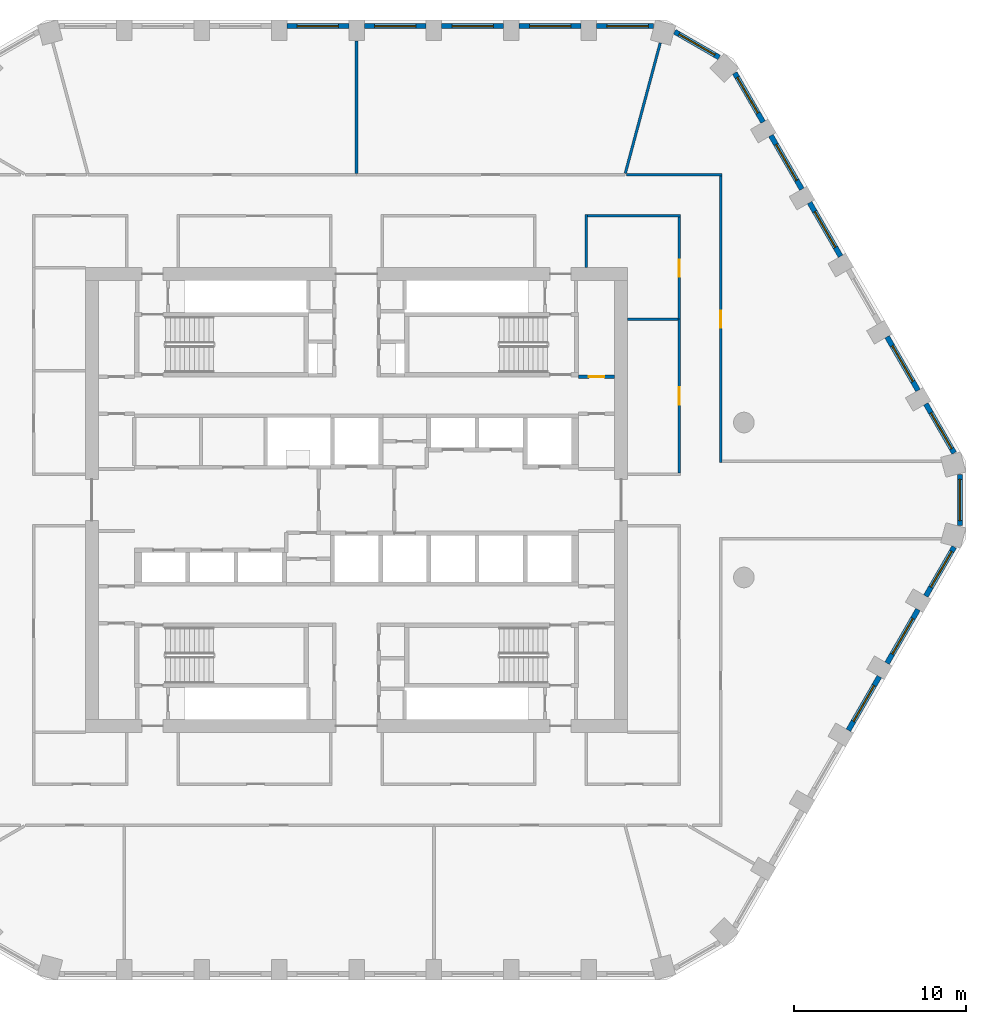
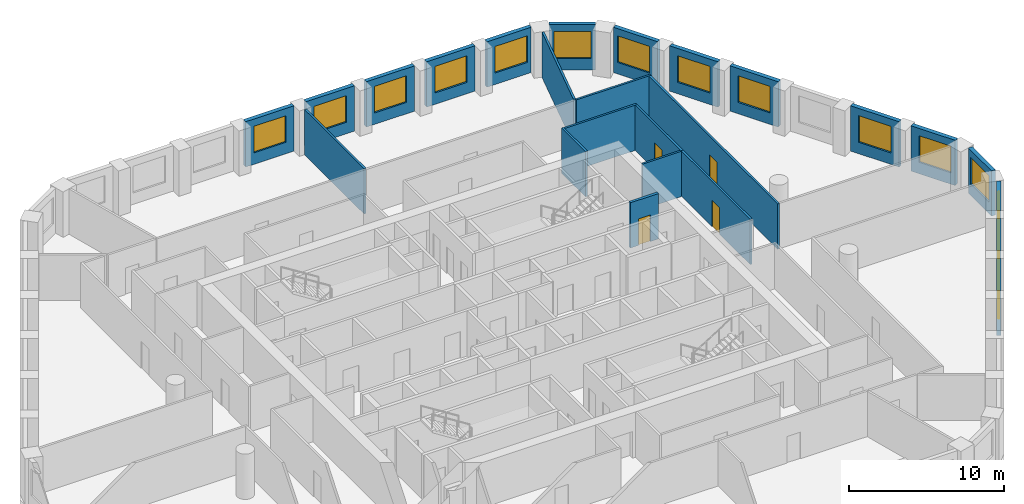
# One storey, part 8 of 10: 25 walls, 15 windows, 4 doors, 19 openings.
"""IFC4 building model written with IfcOpenShell, lengths in metres."""

from ifc_helpers import new_model, si_unit, direction, frame, frame_2d, origin, place, context, subcontext, project, spatial, rectangle, extrude, material, layer, layer_set, type_object, element, fill, save


model = new_model("IFC4")

# Units and contexts
model_context = context("Model", 3, precision=1e-05, world=origin(), true_north=direction((0.0, 1.0)))
body_context = subcontext(model_context, "Body", "Model", "MODEL_VIEW")
ifc_project = project(units=[si_unit("LENGTHUNIT", "METRE"), si_unit("AREAUNIT", "SQUARE_METRE"), si_unit("VOLUMEUNIT", "CUBIC_METRE"), si_unit("PLANEANGLEUNIT", "RADIAN"), si_unit("MASSUNIT", "GRAM", prefix="KILO")], contexts=[model_context])

# Site, building, storey
site_placement = place(None, origin())
site = spatial("IfcSite", under=ifc_project, at=site_placement, CompositionType="ELEMENT")
building_placement = place(site_placement, origin())
building = spatial("IfcBuilding", under=site, at=building_placement, Name="Dhurran Vertical Campus", CompositionType="ELEMENT")
storey_placement = place(building_placement, frame((0.0, 0.0, 148.199951171875)))
storey = spatial("IfcBuildingStorey", under=building, at=storey_placement, Name="L36", CompositionType="ELEMENT", Elevation=148.199951171875)

# Wall, opening, window
ifc_material_1 = material(Name="Precast concrete C50/60", Category="concrete")
ifc_layer_1 = layer(ifc_material_1, 0.300048828125)
ifc_layer_set_1 = layer_set([ifc_layer_1], Name="Precast concrete C50/60")
wall_type_1 = type_object("IfcWallType", Name="Precast spandrel wall 300", PredefinedType="SOLIDWALL", material=ifc_layer_set_1)
wall_1_placement = place(storey_placement, frame((28.5693359375, -13.376220703125, 0.0), z_axis=(0.0, 0.0, 1.0), x_axis=(0.500027802648, 0.866009351323, 0.0)))
wall_1 = element("IfcWall", 1, at=wall_1_placement, inside=storey, type_object=wall_type_1, Name="EW1 L36.12", PredefinedType="SOLIDWALL", context=body_context, shape_type="SweptSolid", body=[
    extrude(rectangle(XDim=3.598876953125, YDim=0.300048828125, at=frame_2d((1.79931640625, 0.0))), origin(), (0.0, 0.0, 1.0), 3.574951171875),
])
opening_1_placement = place(wall_1_placement, frame((0.599609375, 0.0, 0.89990234375)))
opening_1 = element("IfcOpeningElement", 2, at=opening_1_placement, cuts=wall_1, Name="Opening WT1", PredefinedType="OPENING", context=body_context, shape_type="SweptSolid", body=[
    extrude(rectangle(XDim=2.39990234375, YDim=2.10009765625, at=frame_2d((1.199951171875, 1.050048828125))), frame((0.0, 0.159912109375, 0.0), z_axis=(0.0, -1.0, 0.0), x_axis=(1.0, 0.0, 0.0)), (0.0, 0.0, 1.0), 0.320068359375),
])
ifc_material_2 = material(Name="Aluminium frame with solar-control glass", Category="aluminium")
window_type = type_object("IfcWindowType", Name="Punched window 2400 x 2100", PartitioningType="SINGLE_PANEL", PredefinedType="WINDOW", material=ifc_material_2)
window_1_placement = place(opening_1_placement, origin())
window_1 = element("IfcWindow", 3, at=window_1_placement, inside=storey, type_object=window_type, Name="WT1 L36.12", OverallHeight=2.10009765625, OverallWidth=2.39990234375, PartitioningType="SINGLE_PANEL", PredefinedType="WINDOW", context=body_context, shape_type="SweptSolid", body=[
    extrude(rectangle(XDim=2.39990234375, YDim=2.10009765625, at=frame_2d((1.199951171875, 1.050048828125))), frame((0.0, 0.030029296875, 0.0), z_axis=(0.0, -1.0, 0.0), x_axis=(1.0, 0.0, 0.0)), (0.0, 0.0, 1.0), 0.06005859375),
])
fill(opening_1, window_1)

wall_2_placement = place(storey_placement, frame((30.8193359375, -9.47900390625, 0.0), z_axis=(0.0, 0.0, 1.0), x_axis=(0.500027802648, 0.866009351323, 0.0)))
wall_2 = element("IfcWall", 4, at=wall_2_placement, inside=storey, type_object=wall_type_1, Name="EW1 L36.13", PredefinedType="SOLIDWALL", context=body_context, shape_type="SweptSolid", body=[
    extrude(rectangle(XDim=3.598876953125, YDim=0.300048828125, at=frame_2d((1.79931640625, 0.0))), origin(), (0.0, 0.0, 1.0), 3.574951171875),
])
opening_2_placement = place(wall_2_placement, frame((0.599609375, 0.0, 0.89990234375)))
opening_2 = element("IfcOpeningElement", 5, at=opening_2_placement, cuts=wall_2, Name="Opening WT1", PredefinedType="OPENING", context=body_context, shape_type="SweptSolid", body=[
    extrude(rectangle(XDim=2.39990234375, YDim=2.10009765625, at=frame_2d((1.199951171875, 1.050048828125))), frame((0.0, 0.159912109375, 0.0), z_axis=(0.0, -1.0, 0.0), x_axis=(1.0, 0.0, 0.0)), (0.0, 0.0, 1.0), 0.320068359375),
])
window_2_placement = place(opening_2_placement, origin())
window_2 = element("IfcWindow", 6, at=window_2_placement, inside=storey, type_object=window_type, Name="WT1 L36.13", OverallHeight=2.10009765625, OverallWidth=2.39990234375, PartitioningType="SINGLE_PANEL", PredefinedType="WINDOW", context=body_context, shape_type="SweptSolid", body=[
    extrude(rectangle(XDim=2.39990234375, YDim=2.10009765625, at=frame_2d((1.199951171875, 1.050048828125))), frame((0.0, 0.030029296875, 0.0), z_axis=(0.0, -1.0, 0.0), x_axis=(1.0, 0.0, 0.0)), (0.0, 0.0, 1.0), 0.06005859375),
])
fill(opening_2, window_2)

wall_3_placement = place(storey_placement, frame((33.0693359375, -5.58203125, 0.0), z_axis=(0.0, 0.0, 1.0), x_axis=(0.499981217486, 0.866036247602, 0.0)))
wall_3 = element("IfcWall", 7, at=wall_3_placement, inside=storey, type_object=wall_type_1, Name="EW1 L36.14", PredefinedType="SOLIDWALL", context=body_context, shape_type="SweptSolid", body=[
    extrude(rectangle(XDim=3.294189453125, YDim=0.300048828125, at=frame_2d((1.64697265625, 0.0))), origin(), (0.0, 0.0, 1.0), 3.574951171875),
])
opening_3_placement = place(wall_3_placement, frame((0.599609375, 0.0, 0.89990234375)))
opening_3 = element("IfcOpeningElement", 8, at=opening_3_placement, cuts=wall_3, Name="Opening WT1", PredefinedType="OPENING", context=body_context, shape_type="SweptSolid", body=[
    extrude(rectangle(XDim=2.39990234375, YDim=2.10009765625, at=frame_2d((1.199951171875, 1.050048828125))), frame((0.0, 0.159912109375, 0.0), z_axis=(0.0, -1.0, 0.0), x_axis=(1.0, 0.0, 0.0)), (0.0, 0.0, 1.0), 0.320068359375),
])
window_3_placement = place(opening_3_placement, origin())
window_3 = element("IfcWindow", 9, at=window_3_placement, inside=storey, type_object=window_type, Name="WT1 L36.14", OverallHeight=2.10009765625, OverallWidth=2.39990234375, PartitioningType="SINGLE_PANEL", PredefinedType="WINDOW", context=body_context, shape_type="SweptSolid", body=[
    extrude(rectangle(XDim=2.39990234375, YDim=2.10009765625, at=frame_2d((1.199951171875, 1.050048828125))), frame((0.0, 0.030029296875, 0.0), z_axis=(0.0, -1.0, 0.0), x_axis=(1.0, 0.0, 0.0)), (0.0, 0.0, 1.0), 0.06005859375),
])
fill(opening_3, window_3)

wall_4_placement = place(storey_placement, frame((35.047119140625, -1.49462890625, 0.0), z_axis=(0.0, 0.0, 1.0), x_axis=(0.0, 1.0, 0.0)))
wall_4 = element("IfcWall", 10, at=wall_4_placement, inside=storey, type_object=wall_type_1, Name="EW1 L36.15", PredefinedType="SOLIDWALL", context=body_context, shape_type="SweptSolid", body=[
    extrude(rectangle(XDim=2.9892578125, YDim=0.300048828125, at=frame_2d((1.49462890625, 0.0))), origin(), (0.0, 0.0, 1.0), 3.574951171875),
])
opening_4_placement = place(wall_4_placement, frame((0.294677734375, 0.0, 0.89990234375)))
opening_4 = element("IfcOpeningElement", 11, at=opening_4_placement, cuts=wall_4, Name="Opening WT1", PredefinedType="OPENING", context=body_context, shape_type="SweptSolid", body=[
    extrude(rectangle(XDim=2.39990234375, YDim=2.10009765625, at=frame_2d((1.199951171875, 1.050048828125))), frame((0.0, 0.159912109375, 0.0), z_axis=(0.0, -1.0, 0.0), x_axis=(1.0, 0.0, 0.0)), (0.0, 0.0, 1.0), 0.320068359375),
])
window_4_placement = place(opening_4_placement, origin())
window_4 = element("IfcWindow", 12, at=window_4_placement, inside=storey, type_object=window_type, Name="WT1 L36.15", OverallHeight=2.10009765625, OverallWidth=2.39990234375, PartitioningType="SINGLE_PANEL", PredefinedType="WINDOW", context=body_context, shape_type="SweptSolid", body=[
    extrude(rectangle(XDim=2.39990234375, YDim=2.10009765625, at=frame_2d((1.199951171875, 1.050048828125))), frame((0.0, 0.030029296875, 0.0), z_axis=(0.0, -1.0, 0.0), x_axis=(1.0, 0.0, 0.0)), (0.0, 0.0, 1.0), 0.06005859375),
])
fill(opening_4, window_4)

wall_5_placement = place(storey_placement, frame((34.71630859375, 2.729248046875, 0.0), z_axis=(0.0, 0.0, 1.0), x_axis=(-0.499981217486, 0.866036247602, 0.0)))
wall_5 = element("IfcWall", 13, at=wall_5_placement, inside=storey, type_object=wall_type_1, Name="EW1 L36.16", PredefinedType="SOLIDWALL", context=body_context, shape_type="SweptSolid", body=[
    extrude(rectangle(XDim=3.294189453125, YDim=0.300048828125, at=frame_2d((1.64697265625, 0.0))), origin(), (0.0, 0.0, 1.0), 3.574951171875),
])
opening_5_placement = place(wall_5_placement, frame((0.294677734375, 0.0, 0.89990234375)))
opening_5 = element("IfcOpeningElement", 14, at=opening_5_placement, cuts=wall_5, Name="Opening WT1", PredefinedType="OPENING", context=body_context, shape_type="SweptSolid", body=[
    extrude(rectangle(XDim=2.39990234375, YDim=2.10009765625, at=frame_2d((1.199951171875, 1.050048828125))), frame((0.0, 0.159912109375, 0.0), z_axis=(0.0, -1.0, 0.0), x_axis=(1.0, 0.0, 0.0)), (0.0, 0.0, 1.0), 0.320068359375),
])
window_5_placement = place(opening_5_placement, origin())
window_5 = element("IfcWindow", 15, at=window_5_placement, inside=storey, type_object=window_type, Name="WT1 L36.16", OverallHeight=2.10009765625, OverallWidth=2.39990234375, PartitioningType="SINGLE_PANEL", PredefinedType="WINDOW", context=body_context, shape_type="SweptSolid", body=[
    extrude(rectangle(XDim=2.39990234375, YDim=2.10009765625, at=frame_2d((1.199951171875, 1.050048828125))), frame((0.0, 0.030029296875, 0.0), z_axis=(0.0, -1.0, 0.0), x_axis=(1.0, 0.0, 0.0)), (0.0, 0.0, 1.0), 0.06005859375),
])
fill(opening_5, window_5)

wall_6_placement = place(storey_placement, frame((32.618896484375, 6.3623046875, 0.0), z_axis=(0.0, 0.0, 1.0), x_axis=(-0.500027802648, 0.866009351323, 0.0)))
wall_6 = element("IfcWall", 16, at=wall_6_placement, inside=storey, type_object=wall_type_1, Name="EW1 L36.17", PredefinedType="SOLIDWALL", context=body_context, shape_type="SweptSolid", body=[
    extrude(rectangle(XDim=3.598876953125, YDim=0.300048828125, at=frame_2d((1.79931640625, 0.0))), origin(), (0.0, 0.0, 1.0), 3.574951171875),
])
opening_6_placement = place(wall_6_placement, frame((0.599609375, 0.0, 0.89990234375)))
opening_6 = element("IfcOpeningElement", 17, at=opening_6_placement, cuts=wall_6, Name="Opening WT1", PredefinedType="OPENING", context=body_context, shape_type="SweptSolid", body=[
    extrude(rectangle(XDim=2.39990234375, YDim=2.10009765625, at=frame_2d((1.199951171875, 1.050048828125))), frame((0.0, 0.159912109375, 0.0), z_axis=(0.0, -1.0, 0.0), x_axis=(1.0, 0.0, 0.0)), (0.0, 0.0, 1.0), 0.320068359375),
])
window_6_placement = place(opening_6_placement, origin())
window_6 = element("IfcWindow", 18, at=window_6_placement, inside=storey, type_object=window_type, Name="WT1 L36.17", OverallHeight=2.10009765625, OverallWidth=2.39990234375, PartitioningType="SINGLE_PANEL", PredefinedType="WINDOW", context=body_context, shape_type="SweptSolid", body=[
    extrude(rectangle(XDim=2.39990234375, YDim=2.10009765625, at=frame_2d((1.199951171875, 1.050048828125))), frame((0.0, 0.030029296875, 0.0), z_axis=(0.0, -1.0, 0.0), x_axis=(1.0, 0.0, 0.0)), (0.0, 0.0, 1.0), 0.06005859375),
])
fill(opening_6, window_6)

wall_7_placement = place(storey_placement, frame((28.118896484375, 14.156494140625, 0.0), z_axis=(0.0, 0.0, 1.0), x_axis=(-0.500027802648, 0.866009351323, 0.0)))
wall_7 = element("IfcWall", 19, at=wall_7_placement, inside=storey, type_object=wall_type_1, Name="EW1 L36.19", PredefinedType="SOLIDWALL", context=body_context, shape_type="SweptSolid", body=[
    extrude(rectangle(XDim=3.598876953125, YDim=0.300048828125, at=frame_2d((1.79931640625, 0.0))), origin(), (0.0, 0.0, 1.0), 3.574951171875),
])
opening_7_placement = place(wall_7_placement, frame((0.599609375, 0.0, 0.89990234375)))
opening_7 = element("IfcOpeningElement", 20, at=opening_7_placement, cuts=wall_7, Name="Opening WT1", PredefinedType="OPENING", context=body_context, shape_type="SweptSolid", body=[
    extrude(rectangle(XDim=2.39990234375, YDim=2.10009765625, at=frame_2d((1.199951171875, 1.050048828125))), frame((0.0, 0.159912109375, 0.0), z_axis=(0.0, -1.0, 0.0), x_axis=(1.0, 0.0, 0.0)), (0.0, 0.0, 1.0), 0.320068359375),
])
window_7_placement = place(opening_7_placement, origin())
window_7 = element("IfcWindow", 21, at=window_7_placement, inside=storey, type_object=window_type, Name="WT1 L36.19", OverallHeight=2.10009765625, OverallWidth=2.39990234375, PartitioningType="SINGLE_PANEL", PredefinedType="WINDOW", context=body_context, shape_type="SweptSolid", body=[
    extrude(rectangle(XDim=2.39990234375, YDim=2.10009765625, at=frame_2d((1.199951171875, 1.050048828125))), frame((0.0, 0.030029296875, 0.0), z_axis=(0.0, -1.0, 0.0), x_axis=(1.0, 0.0, 0.0)), (0.0, 0.0, 1.0), 0.06005859375),
])
fill(opening_7, window_7)

wall_8_placement = place(storey_placement, frame((25.868896484375, 18.0537109375, 0.0), z_axis=(0.0, 0.0, 1.0), x_axis=(-0.500027802648, 0.866009351323, 0.0)))
wall_8 = element("IfcWall", 22, at=wall_8_placement, inside=storey, type_object=wall_type_1, Name="EW1 L36.20", PredefinedType="SOLIDWALL", context=body_context, shape_type="SweptSolid", body=[
    extrude(rectangle(XDim=3.598876953125, YDim=0.300048828125, at=frame_2d((1.79931640625, 0.0))), origin(), (0.0, 0.0, 1.0), 3.574951171875),
])
opening_8_placement = place(wall_8_placement, frame((0.599609375, 0.0, 0.89990234375)))
opening_8 = element("IfcOpeningElement", 23, at=opening_8_placement, cuts=wall_8, Name="Opening WT1", PredefinedType="OPENING", context=body_context, shape_type="SweptSolid", body=[
    extrude(rectangle(XDim=2.39990234375, YDim=2.10009765625, at=frame_2d((1.199951171875, 1.050048828125))), frame((0.0, 0.159912109375, 0.0), z_axis=(0.0, -1.0, 0.0), x_axis=(1.0, 0.0, 0.0)), (0.0, 0.0, 1.0), 0.320068359375),
])
window_8_placement = place(opening_8_placement, origin())
window_8 = element("IfcWindow", 24, at=window_8_placement, inside=storey, type_object=window_type, Name="WT1 L36.20", OverallHeight=2.10009765625, OverallWidth=2.39990234375, PartitioningType="SINGLE_PANEL", PredefinedType="WINDOW", context=body_context, shape_type="SweptSolid", body=[
    extrude(rectangle(XDim=2.39990234375, YDim=2.10009765625, at=frame_2d((1.199951171875, 1.050048828125))), frame((0.0, 0.030029296875, 0.0), z_axis=(0.0, -1.0, 0.0), x_axis=(1.0, 0.0, 0.0)), (0.0, 0.0, 1.0), 0.06005859375),
])
fill(opening_8, window_8)

wall_9_placement = place(storey_placement, frame((23.618896484375, 21.95068359375, 0.0), z_axis=(0.0, 0.0, 1.0), x_axis=(-0.500036802197, 0.866004154983, 0.0)))
wall_9 = element("IfcWall", 25, at=wall_9_placement, inside=storey, type_object=wall_type_1, Name="EW1 L36.21", PredefinedType="SOLIDWALL", context=body_context, shape_type="SweptSolid", body=[
    extrude(rectangle(XDim=3.294189453125, YDim=0.300048828125, at=frame_2d((1.64697265625, 0.0))), origin(), (0.0, 0.0, 1.0), 3.574951171875),
])
opening_9_placement = place(wall_9_placement, frame((0.599609375, 0.0, 0.89990234375)))
opening_9 = element("IfcOpeningElement", 26, at=opening_9_placement, cuts=wall_9, Name="Opening WT1", PredefinedType="OPENING", context=body_context, shape_type="SweptSolid", body=[
    extrude(rectangle(XDim=2.39990234375, YDim=2.10009765625, at=frame_2d((1.199951171875, 1.050048828125))), frame((0.0, 0.159912109375, 0.0), z_axis=(0.0, -1.0, 0.0), x_axis=(1.0, 0.0, 0.0)), (0.0, 0.0, 1.0), 0.320068359375),
])
window_9_placement = place(opening_9_placement, origin())
window_9 = element("IfcWindow", 27, at=window_9_placement, inside=storey, type_object=window_type, Name="WT1 L36.21", OverallHeight=2.10009765625, OverallWidth=2.39990234375, PartitioningType="SINGLE_PANEL", PredefinedType="WINDOW", context=body_context, shape_type="SweptSolid", body=[
    extrude(rectangle(XDim=2.39990234375, YDim=2.10009765625, at=frame_2d((1.199951171875, 1.050048828125))), frame((0.0, 0.030029296875, 0.0), z_axis=(0.0, -1.0, 0.0), x_axis=(1.0, 0.0, 0.0)), (0.0, 0.0, 1.0), 0.06005859375),
])
fill(opening_9, window_9)

wall_10_placement = place(storey_placement, frame((21.06787109375, 25.707275390625, 0.0), z_axis=(0.0, 0.0, 1.0), x_axis=(-0.866012844897, 0.500021752, 0.0)))
wall_10 = element("IfcWall", 28, at=wall_10_placement, inside=storey, type_object=wall_type_1, Name="EW1 L36.22", PredefinedType="SOLIDWALL", context=body_context, shape_type="SweptSolid", body=[
    extrude(rectangle(XDim=2.989013671875, YDim=0.300048828125, at=frame_2d((1.49462890625, 0.0))), origin(), (0.0, 0.0, 1.0), 3.574951171875),
])
opening_10_placement = place(wall_10_placement, frame((0.294677734375, 0.0, 0.89990234375)))
opening_10 = element("IfcOpeningElement", 29, at=opening_10_placement, cuts=wall_10, Name="Opening WT1", PredefinedType="OPENING", context=body_context, shape_type="SweptSolid", body=[
    extrude(rectangle(XDim=2.39990234375, YDim=2.10009765625, at=frame_2d((1.199951171875, 1.050048828125))), frame((0.0, 0.159912109375, 0.0), z_axis=(0.0, -1.0, 0.0), x_axis=(1.0, 0.0, 0.0)), (0.0, 0.0, 1.0), 0.320068359375),
])
window_10_placement = place(opening_10_placement, origin())
window_10 = element("IfcWindow", 30, at=window_10_placement, inside=storey, type_object=window_type, Name="WT1 L36.22", OverallHeight=2.10009765625, OverallWidth=2.39990234375, PartitioningType="SINGLE_PANEL", PredefinedType="WINDOW", context=body_context, shape_type="SweptSolid", body=[
    extrude(rectangle(XDim=2.39990234375, YDim=2.10009765625, at=frame_2d((1.199951171875, 1.050048828125))), frame((0.0, 0.030029296875, 0.0), z_axis=(0.0, -1.0, 0.0), x_axis=(1.0, 0.0, 0.0)), (0.0, 0.0, 1.0), 0.06005859375),
])
fill(opening_10, window_10)

wall_11_placement = place(storey_placement, frame((17.24462890625, 27.53271484375, 0.0), z_axis=(0.0, 0.0, 1.0), x_axis=(-1.0, 0.0, 0.0)))
wall_11 = element("IfcWall", 31, at=wall_11_placement, inside=storey, type_object=wall_type_1, Name="EW1 L36.23", PredefinedType="SOLIDWALL", context=body_context, shape_type="SweptSolid", body=[
    extrude(rectangle(XDim=3.294189453125, YDim=0.300048828125, at=frame_2d((1.64697265625, 0.0))), origin(), (0.0, 0.0, 1.0), 3.574951171875),
])
opening_11_placement = place(wall_11_placement, frame((0.294677734375, 0.0, 0.89990234375)))
opening_11 = element("IfcOpeningElement", 32, at=opening_11_placement, cuts=wall_11, Name="Opening WT1", PredefinedType="OPENING", context=body_context, shape_type="SweptSolid", body=[
    extrude(rectangle(XDim=2.39990234375, YDim=2.10009765625, at=frame_2d((1.199951171875, 1.050048828125))), frame((0.0, 0.159912109375, 0.0), z_axis=(0.0, -1.0, 0.0), x_axis=(1.0, 0.0, 0.0)), (0.0, 0.0, 1.0), 0.320068359375),
])
window_11_placement = place(opening_11_placement, origin())
window_11 = element("IfcWindow", 33, at=window_11_placement, inside=storey, type_object=window_type, Name="WT1 L36.23", OverallHeight=2.10009765625, OverallWidth=2.39990234375, PartitioningType="SINGLE_PANEL", PredefinedType="WINDOW", context=body_context, shape_type="SweptSolid", body=[
    extrude(rectangle(XDim=2.39990234375, YDim=2.10009765625, at=frame_2d((1.199951171875, 1.050048828125))), frame((0.0, 0.030029296875, 0.0), z_axis=(0.0, -1.0, 0.0), x_axis=(1.0, 0.0, 0.0)), (0.0, 0.0, 1.0), 0.06005859375),
])
fill(opening_11, window_11)

wall_12_placement = place(storey_placement, frame((13.049560546875, 27.53271484375, 0.0), z_axis=(0.0, 0.0, 1.0), x_axis=(-1.0, 0.0, 0.0)))
wall_12 = element("IfcWall", 34, at=wall_12_placement, inside=storey, type_object=wall_type_1, Name="EW1 L36.24", PredefinedType="SOLIDWALL", context=body_context, shape_type="SweptSolid", body=[
    extrude(rectangle(XDim=3.59912109375, YDim=0.300048828125, at=frame_2d((1.799560546875, 0.0))), origin(), (0.0, 0.0, 1.0), 3.574951171875),
])
opening_12_placement = place(wall_12_placement, frame((0.599609375, 0.0, 0.89990234375)))
opening_12 = element("IfcOpeningElement", 35, at=opening_12_placement, cuts=wall_12, Name="Opening WT1", PredefinedType="OPENING", context=body_context, shape_type="SweptSolid", body=[
    extrude(rectangle(XDim=2.39990234375, YDim=2.10009765625, at=frame_2d((1.199951171875, 1.050048828125))), frame((0.0, 0.159912109375, 0.0), z_axis=(0.0, -1.0, 0.0), x_axis=(1.0, 0.0, 0.0)), (0.0, 0.0, 1.0), 0.320068359375),
])
window_12_placement = place(opening_12_placement, origin())
window_12 = element("IfcWindow", 36, at=window_12_placement, inside=storey, type_object=window_type, Name="WT1 L36.24", OverallHeight=2.10009765625, OverallWidth=2.39990234375, PartitioningType="SINGLE_PANEL", PredefinedType="WINDOW", context=body_context, shape_type="SweptSolid", body=[
    extrude(rectangle(XDim=2.39990234375, YDim=2.10009765625, at=frame_2d((1.199951171875, 1.050048828125))), frame((0.0, 0.030029296875, 0.0), z_axis=(0.0, -1.0, 0.0), x_axis=(1.0, 0.0, 0.0)), (0.0, 0.0, 1.0), 0.06005859375),
])
fill(opening_12, window_12)

wall_13_placement = place(storey_placement, frame((8.549560546875, 27.53271484375, 0.0), z_axis=(0.0, 0.0, 1.0), x_axis=(-1.0, 0.0, 0.0)))
wall_13 = element("IfcWall", 37, at=wall_13_placement, inside=storey, type_object=wall_type_1, Name="EW1 L36.25", PredefinedType="SOLIDWALL", context=body_context, shape_type="SweptSolid", body=[
    extrude(rectangle(XDim=3.59912109375, YDim=0.300048828125, at=frame_2d((1.799560546875, 0.0))), origin(), (0.0, 0.0, 1.0), 3.574951171875),
])
opening_13_placement = place(wall_13_placement, frame((0.599609375, 0.0, 0.89990234375)))
opening_13 = element("IfcOpeningElement", 38, at=opening_13_placement, cuts=wall_13, Name="Opening WT1", PredefinedType="OPENING", context=body_context, shape_type="SweptSolid", body=[
    extrude(rectangle(XDim=2.39990234375, YDim=2.10009765625, at=frame_2d((1.199951171875, 1.050048828125))), frame((0.0, 0.159912109375, 0.0), z_axis=(0.0, -1.0, 0.0), x_axis=(1.0, 0.0, 0.0)), (0.0, 0.0, 1.0), 0.320068359375),
])
window_13_placement = place(opening_13_placement, origin())
window_13 = element("IfcWindow", 39, at=window_13_placement, inside=storey, type_object=window_type, Name="WT1 L36.25", OverallHeight=2.10009765625, OverallWidth=2.39990234375, PartitioningType="SINGLE_PANEL", PredefinedType="WINDOW", context=body_context, shape_type="SweptSolid", body=[
    extrude(rectangle(XDim=2.39990234375, YDim=2.10009765625, at=frame_2d((1.199951171875, 1.050048828125))), frame((0.0, 0.030029296875, 0.0), z_axis=(0.0, -1.0, 0.0), x_axis=(1.0, 0.0, 0.0)), (0.0, 0.0, 1.0), 0.06005859375),
])
fill(opening_13, window_13)

wall_14_placement = place(storey_placement, frame((4.049560546875, 27.53271484375, 0.0), z_axis=(0.0, 0.0, 1.0), x_axis=(-1.0, 0.0, 0.0)))
wall_14 = element("IfcWall", 40, at=wall_14_placement, inside=storey, type_object=wall_type_1, Name="EW1 L36.26", PredefinedType="SOLIDWALL", context=body_context, shape_type="SweptSolid", body=[
    extrude(rectangle(XDim=3.59912109375, YDim=0.300048828125, at=frame_2d((1.799560546875, 0.0))), origin(), (0.0, 0.0, 1.0), 3.574951171875),
])
opening_14_placement = place(wall_14_placement, frame((0.599609375, 0.0, 0.89990234375)))
opening_14 = element("IfcOpeningElement", 41, at=opening_14_placement, cuts=wall_14, Name="Opening WT1", PredefinedType="OPENING", context=body_context, shape_type="SweptSolid", body=[
    extrude(rectangle(XDim=2.39990234375, YDim=2.10009765625, at=frame_2d((1.199951171875, 1.050048828125))), frame((0.0, 0.159912109375, 0.0), z_axis=(0.0, -1.0, 0.0), x_axis=(1.0, 0.0, 0.0)), (0.0, 0.0, 1.0), 0.320068359375),
])
window_14_placement = place(opening_14_placement, origin())
window_14 = element("IfcWindow", 42, at=window_14_placement, inside=storey, type_object=window_type, Name="WT1 L36.26", OverallHeight=2.10009765625, OverallWidth=2.39990234375, PartitioningType="SINGLE_PANEL", PredefinedType="WINDOW", context=body_context, shape_type="SweptSolid", body=[
    extrude(rectangle(XDim=2.39990234375, YDim=2.10009765625, at=frame_2d((1.199951171875, 1.050048828125))), frame((0.0, 0.030029296875, 0.0), z_axis=(0.0, -1.0, 0.0), x_axis=(1.0, 0.0, 0.0)), (0.0, 0.0, 1.0), 0.06005859375),
])
fill(opening_14, window_14)

wall_15_placement = place(storey_placement, frame((-0.450439453125, 27.53271484375, 0.0), z_axis=(0.0, 0.0, 1.0), x_axis=(-1.0, 0.0, 0.0)))
wall_15 = element("IfcWall", 43, at=wall_15_placement, inside=storey, type_object=wall_type_1, Name="EW1 L36.27", PredefinedType="SOLIDWALL", context=body_context, shape_type="SweptSolid", body=[
    extrude(rectangle(XDim=3.59912109375, YDim=0.300048828125, at=frame_2d((1.799560546875, 0.0))), origin(), (0.0, 0.0, 1.0), 3.574951171875),
])
opening_15_placement = place(wall_15_placement, frame((0.599609375, 0.0, 0.89990234375)))
opening_15 = element("IfcOpeningElement", 44, at=opening_15_placement, cuts=wall_15, Name="Opening WT1", PredefinedType="OPENING", context=body_context, shape_type="SweptSolid", body=[
    extrude(rectangle(XDim=2.39990234375, YDim=2.10009765625, at=frame_2d((1.199951171875, 1.050048828125))), frame((0.0, 0.159912109375, 0.0), z_axis=(0.0, -1.0, 0.0), x_axis=(1.0, 0.0, 0.0)), (0.0, 0.0, 1.0), 0.320068359375),
])
window_15_placement = place(opening_15_placement, origin())
window_15 = element("IfcWindow", 45, at=window_15_placement, inside=storey, type_object=window_type, Name="WT1 L36.27", OverallHeight=2.10009765625, OverallWidth=2.39990234375, PartitioningType="SINGLE_PANEL", PredefinedType="WINDOW", context=body_context, shape_type="SweptSolid", body=[
    extrude(rectangle(XDim=2.39990234375, YDim=2.10009765625, at=frame_2d((1.199951171875, 1.050048828125))), frame((0.0, 0.030029296875, 0.0), z_axis=(0.0, -1.0, 0.0), x_axis=(1.0, 0.0, 0.0)), (0.0, 0.0, 1.0), 0.06005859375),
])
fill(opening_15, window_15)

# Wall, opening, door
ifc_material_3 = material(Name="Fire-rated masonry blockwork", Category="masonry")
ifc_layer_2 = layer(ifc_material_3, 0.199951171875)
ifc_layer_set_2 = layer_set([ifc_layer_2], Name="Fire-rated masonry blockwork")
wall_type_2 = type_object("IfcWallType", Name="co-FIRE-PARTITION-200", PredefinedType="PARTITIONING", material=ifc_layer_set_2)
wall_16_placement = place(storey_placement, frame((12.89990234375, 7.14990234375, 0.0), z_axis=(0.0, 0.0, 1.0), x_axis=(1.0, 0.0, 0.0)))
wall_16 = element("IfcWall", 46, at=wall_16_placement, inside=storey, type_object=wall_type_2, Name="Core partition en-NE-w L36", PredefinedType="PARTITIONING", context=body_context, shape_type="SweptSolid", body=[
    extrude(rectangle(XDim=2.10009765625, YDim=0.199951171875, at=frame_2d((1.050048828125, 0.0))), origin(), (0.0, 0.0, 1.0), 3.574951171875),
])
opening_16_placement = place(wall_16_placement, frame((0.60009765625, 0.0, 0.0)))
opening_16 = element("IfcOpeningElement", 47, at=opening_16_placement, cuts=wall_16, Name="Opening T10-C17", PredefinedType="OPENING", context=body_context, shape_type="SweptSolid", body=[
    extrude(rectangle(XDim=0.89990234375, YDim=2.10009765625, at=frame_2d((0.449951171875, 1.050048828125))), frame((0.0, 0.10986328125, 0.0), z_axis=(0.0, -1.0, 0.0), x_axis=(1.0, 0.0, 0.0)), (0.0, 0.0, 1.0), 0.219970703125),
])
ifc_material_4 = material(Name="Fire-rated timber door set", Category="wood")
door_type_1 = type_object("IfcDoorType", Name="co-D-ROOM 900x2100", OperationType="SINGLE_SWING_LEFT", PredefinedType="DOOR", material=ifc_material_4)
door_1_placement = place(opening_16_placement, origin())
door_1 = element("IfcDoor", 48, at=door_1_placement, inside=storey, type_object=door_type_1, Name="Fire equipment store door L36", OperationType="SINGLE_SWING_LEFT", OverallHeight=2.10009765625, OverallWidth=0.89990234375, PredefinedType="DOOR", context=body_context, shape_type="SweptSolid", body=[
    extrude(rectangle(XDim=0.89990234375, YDim=2.10009765625, at=frame_2d((0.449951171875, 1.050048828125))), frame((0.0, 0.02490234375, 0.0), z_axis=(0.0, -1.0, 0.0), x_axis=(1.0, 0.0, 0.0)), (0.0, 0.0, 1.0), 0.050048828125),
])
fill(opening_16, door_1)

# Walls
ifc_material_5 = material(Name="Gypsum board corridor wall on steel studs", Category="steel")
ifc_layer_3 = layer(ifc_material_5, 0.14990234375)
ifc_layer_set_3 = layer_set([ifc_layer_3], Name="Gypsum board corridor wall on steel studs")
wall_type_3 = type_object("IfcWallType", Name="fl-CW-150 corridor wall", PredefinedType="PARTITIONING", material=ifc_layer_set_3)
wall_17_placement = place(storey_placement, frame((13.35009765625, 13.5, 0.0), z_axis=(0.0, 0.0, 1.0), x_axis=(0.0, 1.0, 0.0)))
element("IfcWall", 49, at=wall_17_placement, inside=storey, type_object=wall_type_3, Name="Partition 36-47", PredefinedType="PARTITIONING", context=body_context, shape_type="SweptSolid", body=[
    extrude(rectangle(XDim=3.074951171875, YDim=0.14990234375, at=frame_2d((1.53759765625, 0.0))), origin(), (0.0, 0.0, 1.0), 3.574951171875),
])
wall_18_placement = place(storey_placement, frame((13.425048828125, 16.5, 0.0), z_axis=(0.0, 0.0, 1.0), x_axis=(1.0, 0.0, 0.0)))
element("IfcWall", 50, at=wall_18_placement, inside=storey, type_object=wall_type_3, Name="Partition 36-48", PredefinedType="PARTITIONING", context=body_context, shape_type="SweptSolid", body=[
    extrude(rectangle(XDim=5.39990234375, YDim=0.14990234375, at=frame_2d((2.699951171875, 0.0))), origin(), (0.0, 0.0, 1.0), 3.574951171875),
])
wall_19_placement = place(storey_placement, frame((21.22509765625, 18.89990234375, 0.0), z_axis=(0.0, 0.0, 1.0), x_axis=(-1.0, 0.0, 0.0)))
element("IfcWall", 51, at=wall_19_placement, inside=storey, type_object=wall_type_3, Name="Partition 36-52", PredefinedType="PARTITIONING", context=body_context, shape_type="SweptSolid", body=[
    extrude(rectangle(XDim=5.537109375, YDim=0.14990234375, at=frame_2d((2.7685546875, 0.0))), origin(), (0.0, 0.0, 1.0), 3.574951171875),
])

# Wall, opening, door
wall_20_placement = place(storey_placement, frame((18.75, 10.5, 0.0), z_axis=(0.0, 0.0, 1.0), x_axis=(0.0, -1.0, 0.0)))
wall_20 = element("IfcWall", 52, at=wall_20_placement, inside=storey, type_object=wall_type_3, Name="Partition 36-59", PredefinedType="PARTITIONING", context=body_context, shape_type="SweptSolid", body=[
    extrude(rectangle(XDim=8.925048828125, YDim=0.14990234375, at=frame_2d((4.46240234375, 0.0))), origin(), (0.0, 0.0, 1.0), 3.574951171875),
])
opening_17_placement = place(wall_20_placement, frame((3.96240234375, 0.0, 0.0)))
opening_17 = element("IfcOpeningElement", 53, at=opening_17_placement, cuts=wall_20, Name="Opening T10.21", PredefinedType="OPENING", context=body_context, shape_type="SweptSolid", body=[
    extrude(rectangle(XDim=1.0, YDim=2.10009765625, at=frame_2d((0.5, 1.050048828125))), frame((0.0, 0.0849609375, 0.0), z_axis=(0.0, -1.0, 0.0), x_axis=(1.0, 0.0, 0.0)), (0.0, 0.0, 1.0), 0.169921875),
])
ifc_material_6 = material(Name="Solid-core timber door set, fire-rated", Category="wood")
door_type_2 = type_object("IfcDoorType", Name="fl-D-1000x2100", OperationType="SINGLE_SWING_LEFT", PredefinedType="DOOR", material=ifc_material_6)
door_2_placement = place(opening_17_placement, origin())
door_2 = element("IfcDoor", 54, at=door_2_placement, inside=storey, type_object=door_type_2, Name="Door 36.21", OperationType="SINGLE_SWING_RIGHT", OverallHeight=2.10009765625, OverallWidth=1.0, PredefinedType="DOOR", context=body_context, shape_type="SweptSolid", body=[
    extrude(rectangle(XDim=1.0, YDim=2.10009765625, at=frame_2d((0.5, 1.050048828125))), frame((0.0, 0.02490234375, 0.0), z_axis=(0.0, -1.0, 0.0), x_axis=(1.0, 0.0, 0.0)), (0.0, 0.0, 1.0), 0.050048828125),
])
fill(opening_17, door_2)

wall_21_placement = place(storey_placement, frame((18.75, 16.425048828125, 0.0), z_axis=(0.0, 0.0, 1.0), x_axis=(0.0, -1.0, 0.0)))
wall_21 = element("IfcWall", 55, at=wall_21_placement, inside=storey, type_object=wall_type_3, Name="Partition 36-60", PredefinedType="PARTITIONING", context=body_context, shape_type="SweptSolid", body=[
    extrude(rectangle(XDim=5.925048828125, YDim=0.14990234375, at=frame_2d((2.96240234375, 0.0))), origin(), (0.0, 0.0, 1.0), 3.574951171875),
])
opening_18_placement = place(wall_21_placement, frame((2.46240234375, 0.0, 0.0)))
opening_18 = element("IfcOpeningElement", 56, at=opening_18_placement, cuts=wall_21, Name="Opening T10.19", PredefinedType="OPENING", context=body_context, shape_type="SweptSolid", body=[
    extrude(rectangle(XDim=1.0, YDim=2.10009765625, at=frame_2d((0.5, 1.050048828125))), frame((0.0, 0.0849609375, 0.0), z_axis=(0.0, -1.0, 0.0), x_axis=(1.0, 0.0, 0.0)), (0.0, 0.0, 1.0), 0.169921875),
])
door_3_placement = place(opening_18_placement, origin())
door_3 = element("IfcDoor", 57, at=door_3_placement, inside=storey, type_object=door_type_2, Name="Door 36.19", OperationType="SINGLE_SWING_RIGHT", OverallHeight=2.10009765625, OverallWidth=1.0, PredefinedType="DOOR", context=body_context, shape_type="SweptSolid", body=[
    extrude(rectangle(XDim=1.0, YDim=2.10009765625, at=frame_2d((0.5, 1.050048828125))), frame((0.0, 0.02490234375, 0.0), z_axis=(0.0, -1.0, 0.0), x_axis=(1.0, 0.0, 0.0)), (0.0, 0.0, 1.0), 0.050048828125),
])
fill(opening_18, door_3)

wall_22_placement = place(storey_placement, frame((21.14990234375, 2.175048828125, 0.0), z_axis=(0.0, 0.0, 1.0), x_axis=(0.0, 1.0, 0.0)))
wall_22 = element("IfcWall", 58, at=wall_22_placement, inside=storey, type_object=wall_type_3, Name="Partition 36-65", PredefinedType="PARTITIONING", context=body_context, shape_type="SweptSolid", body=[
    extrude(rectangle(XDim=16.64990234375, YDim=0.14990234375, at=frame_2d((8.324951171875, 0.0))), origin(), (0.0, 0.0, 1.0), 3.574951171875),
])
opening_19_placement = place(wall_22_placement, frame((7.824951171875, 0.0, 0.0)))
opening_19 = element("IfcOpeningElement", 59, at=opening_19_placement, cuts=wall_22, Name="Opening T10.23", PredefinedType="OPENING", context=body_context, shape_type="SweptSolid", body=[
    extrude(rectangle(XDim=1.0, YDim=2.10009765625, at=frame_2d((0.5, 1.050048828125))), frame((0.0, 0.0849609375, 0.0), z_axis=(0.0, -1.0, 0.0), x_axis=(1.0, 0.0, 0.0)), (0.0, 0.0, 1.0), 0.169921875),
])
door_4_placement = place(opening_19_placement, origin())
door_4 = element("IfcDoor", 60, at=door_4_placement, inside=storey, type_object=door_type_2, Name="Door 36.23", OperationType="SINGLE_SWING_RIGHT", OverallHeight=2.10009765625, OverallWidth=1.0, PredefinedType="DOOR", context=body_context, shape_type="SweptSolid", body=[
    extrude(rectangle(XDim=1.0, YDim=2.10009765625, at=frame_2d((0.5, 1.050048828125))), frame((0.0, 0.02490234375, 0.0), z_axis=(0.0, -1.0, 0.0), x_axis=(1.0, 0.0, 0.0)), (0.0, 0.0, 1.0), 0.050048828125),
])
fill(opening_19, door_4)

# Walls
ifc_material_7 = material(Name="Gypsum board partition on steel studs", Category="steel")
ifc_layer_4 = layer(ifc_material_7, 0.14990234375)
ifc_layer_set_4 = layer_set([ifc_layer_4], Name="Gypsum board partition on steel studs")
wall_type_4 = type_object("IfcWallType", Name="fl-PW-150 fixed partition", PredefinedType="PARTITIONING", material=ifc_layer_set_4)
wall_23_placement = place(storey_placement, frame((0.0, 26.66259765625, 0.0), z_axis=(0.0, 0.0, 1.0), x_axis=(0.0, -1.0, 0.0)))
element("IfcWall", 61, at=wall_23_placement, inside=storey, type_object=wall_type_4, Name="Partition 36-35", PredefinedType="PARTITIONING", context=body_context, shape_type="SweptSolid", body=[
    extrude(rectangle(XDim=7.6875, YDim=0.14990234375, at=frame_2d((3.84375, 0.0))), origin(), (0.0, 0.0, 1.0), 3.574951171875),
])
wall_24_placement = place(storey_placement, frame((17.642822265625, 26.548828125, 0.0), z_axis=(0.0, 0.0, 1.0), x_axis=(-0.258869363255, -0.965912342176, 0.0)))
element("IfcWall", 62, at=wall_24_placement, inside=storey, type_object=wall_type_4, Name="Partition 36-51", PredefinedType="PARTITIONING", context=body_context, shape_type="SweptSolid", body=[
    extrude(rectangle(XDim=7.84375, YDim=0.14990234375, at=frame_2d((3.921875, 0.0))), origin(), (0.0, 0.0, 1.0), 3.574951171875),
])
wall_25_placement = place(storey_placement, frame((18.675048828125, 10.5, 0.0), z_axis=(0.0, 0.0, 1.0), x_axis=(-1.0, 0.0, 0.0)))
element("IfcWall", 63, at=wall_25_placement, inside=storey, type_object=wall_type_4, Name="Partition 36-56", PredefinedType="PARTITIONING", context=body_context, shape_type="SweptSolid", body=[
    extrude(rectangle(XDim=2.925048828125, YDim=0.14990234375, at=frame_2d((1.46240234375, 0.0))), origin(), (0.0, 0.0, 1.0), 3.574951171875),
])

save(model, "model.ifc")
